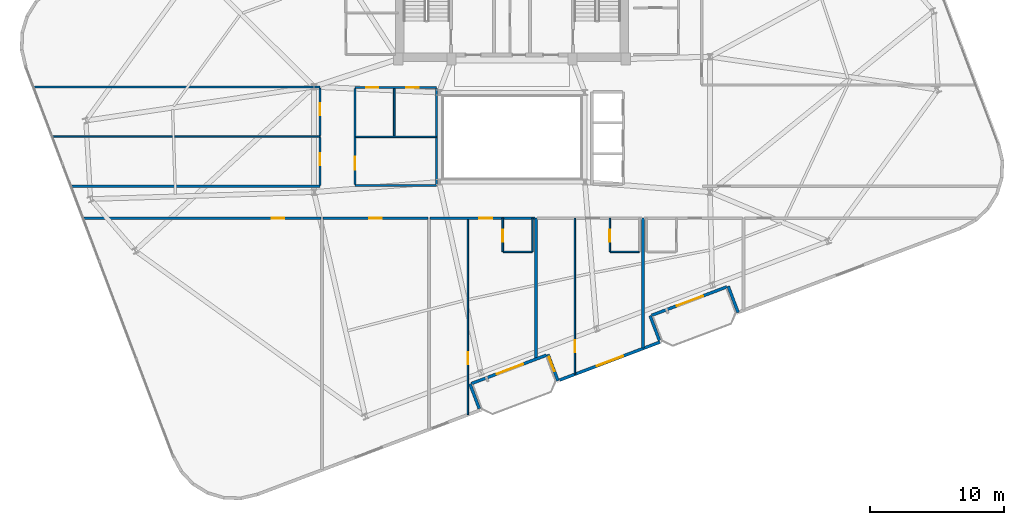
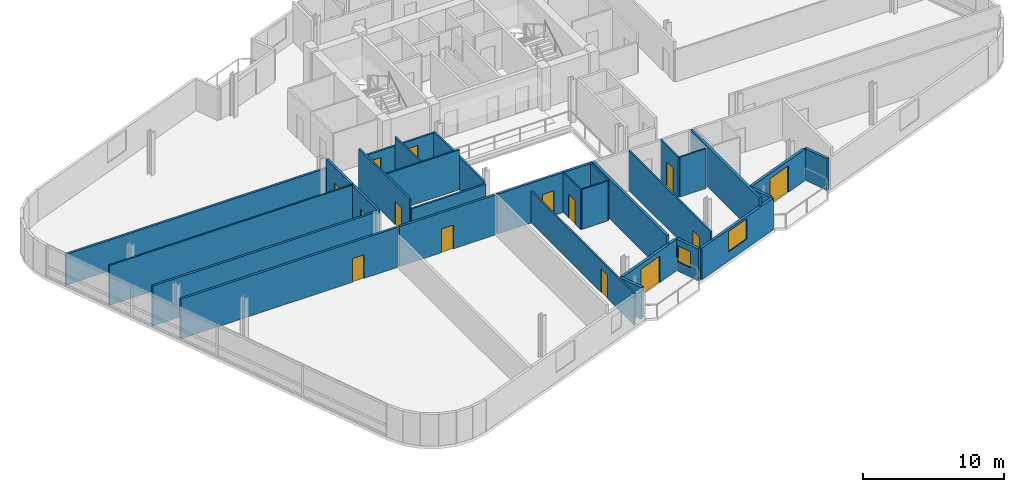
# One storey, part 14 of 20: 30 walls, 14 doors, 2 windows, 16 openings.
"""IFC4 building model written with IfcOpenShell, lengths in metres."""

from ifc_helpers import new_model, si_unit, direction, frame, frame_2d, origin, place, context, subcontext, project, spatial, rectangle, extrude, material, layer, layer_set, type_object, element, fill, save


model = new_model("IFC4")

# Units and contexts
model_context = context("Model", 3, precision=1e-05, world=origin(), true_north=direction((0.0, 1.0)))
body_context = subcontext(model_context, "Body", "Model", "MODEL_VIEW")
ifc_project = project(units=[si_unit("LENGTHUNIT", "METRE"), si_unit("AREAUNIT", "SQUARE_METRE"), si_unit("VOLUMEUNIT", "CUBIC_METRE"), si_unit("PLANEANGLEUNIT", "RADIAN"), si_unit("MASSUNIT", "GRAM", prefix="KILO")], contexts=[model_context])

# Site, building, storey
site_placement = place(None, origin())
site = spatial("IfcSite", under=ifc_project, at=site_placement, CompositionType="ELEMENT")
building_placement = place(site_placement, origin())
building = spatial("IfcBuilding", under=site, at=building_placement, Name="Varnelok Gate Tower", CompositionType="ELEMENT")
storey_placement = place(building_placement, frame((0.0, 0.0, 238.60009765625)))
storey = spatial("IfcBuildingStorey", under=building, at=storey_placement, Name="L61", CompositionType="ELEMENT", Elevation=238.60009765625)

# Wall, opening, door
ifc_material_1 = material(Name="Concrete C45/55", Category="concrete")
ifc_layer_1 = layer(ifc_material_1, 0.219970703125)
ifc_layer_set_1 = layer_set([ifc_layer_1], Name="Concrete C45/55")
wall_type_1 = type_object("IfcWallType", Name="EW-BALC-220", PredefinedType="SOLIDWALL", material=ifc_layer_set_1)
wall_1_placement = place(storey_placement, frame((41.783203125, 6.6142578125, 0.0), z_axis=(0.0, 0.0, 1.0), x_axis=(-0.93521416643, -0.354082565101, 0.0)))
wall_1 = element("IfcWall", 1, at=wall_1_placement, inside=storey, type_object=wall_type_1, Name="L61 South Terrace Envelope Wall 1", PredefinedType="SOLIDWALL", context=body_context, shape_type="SweptSolid", body=[
    extrude(rectangle(XDim=6.0, YDim=0.219970703125, at=frame_2d((3.0, 0.0))), origin(), (0.0, 0.0, 1.0), 2.72998046875),
])
opening_1_placement = place(wall_1_placement, frame((1.887939453125, 0.0, 0.0)))
opening_1 = element("IfcOpeningElement", 2, at=opening_1_placement, cuts=wall_1, Name="Opening BD-2", PredefinedType="OPENING", context=body_context, shape_type="SweptSolid", body=[
    extrude(rectangle(XDim=2.10009765625, YDim=2.300048828125, at=frame_2d((1.050048828125, 1.14990234375))), frame((0.0, 0.119873046875, 0.0), z_axis=(0.0, -1.0, 0.0), x_axis=(1.0, 0.0, 0.0)), (0.0, 0.0, 1.0), 0.239990234375),
])
ifc_material_2 = material(Name="Anodized Aluminum Alloy 6063-T6", Category="aluminium")
door_type_1 = type_object("IfcDoorType", Name="DR-EXT-SLID2100", OperationType="SLIDING_TO_LEFT", PredefinedType="DOOR", material=ifc_material_2)
door_1_placement = place(opening_1_placement, origin())
door_1 = element("IfcDoor", 3, at=door_1_placement, inside=storey, type_object=door_type_1, Name="L61 South Balcony Glazed Door 1", OperationType="SLIDING_TO_LEFT", OverallHeight=2.300048828125, OverallWidth=2.10009765625, PredefinedType="DOOR", context=body_context, shape_type="SweptSolid", body=[
    extrude(rectangle(XDim=2.10009765625, YDim=2.300048828125, at=frame_2d((1.050048828125, 1.14990234375))), frame((0.0, 0.02490234375, 0.0), z_axis=(0.0, -1.0, 0.0), x_axis=(1.0, 0.0, 0.0)), (0.0, 0.0, 1.0), 0.050048828125),
])
fill(opening_1, door_1)

wall_2_placement = place(storey_placement, frame((55.25048828125, 11.712646484375, 0.0), z_axis=(0.0, 0.0, 1.0), x_axis=(-0.935227640088, -0.354046976001, 0.0)))
wall_2 = element("IfcWall", 4, at=wall_2_placement, inside=storey, type_object=wall_type_1, Name="L61 South Terrace Envelope Wall 2", PredefinedType="SOLIDWALL", context=body_context, shape_type="SweptSolid", body=[
    extrude(rectangle(XDim=6.0, YDim=0.219970703125, at=frame_2d((3.0, 0.0))), origin(), (0.0, 0.0, 1.0), 2.72998046875),
])
opening_2_placement = place(wall_2_placement, frame((1.887939453125, 0.0, 0.0)))
opening_2 = element("IfcOpeningElement", 5, at=opening_2_placement, cuts=wall_2, Name="Opening BD-2", PredefinedType="OPENING", context=body_context, shape_type="SweptSolid", body=[
    extrude(rectangle(XDim=2.10009765625, YDim=2.300048828125, at=frame_2d((1.050048828125, 1.14990234375))), frame((0.0, 0.119873046875, 0.0), z_axis=(0.0, -1.0, 0.0), x_axis=(1.0, 0.0, 0.0)), (0.0, 0.0, 1.0), 0.239990234375),
])
door_2_placement = place(opening_2_placement, origin())
door_2 = element("IfcDoor", 6, at=door_2_placement, inside=storey, type_object=door_type_1, Name="L61 South Balcony Glazed Door 2", OperationType="SLIDING_TO_LEFT", OverallHeight=2.300048828125, OverallWidth=2.10009765625, PredefinedType="DOOR", context=body_context, shape_type="SweptSolid", body=[
    extrude(rectangle(XDim=2.10009765625, YDim=2.300048828125, at=frame_2d((1.050048828125, 1.14990234375))), frame((0.0, 0.02490234375, 0.0), z_axis=(0.0, -1.0, 0.0), x_axis=(1.0, 0.0, 0.0)), (0.0, 0.0, 1.0), 0.050048828125),
])
fill(opening_2, door_2)

# Wall
wall_3_placement = place(storey_placement, frame((36.75537109375, 2.609619140625, 0.0), z_axis=(0.0, 0.0, 1.0), x_axis=(-0.354020680661, 0.935237594232, 0.0)))
element("IfcWall", 7, at=wall_3_placement, inside=storey, type_object=wall_type_1, Name="L61 Perimeter Facade Closure Wall 8", PredefinedType="SOLIDWALL", context=body_context, shape_type="SweptSolid", body=[
    extrude(rectangle(XDim=1.97509765625, YDim=0.219970703125, at=frame_2d((0.987548828125, 0.0))), origin(), (0.0, 0.0, 1.0), 2.72998046875),
])

# Wall, opening, window
wall_4_placement = place(storey_placement, frame((41.891845703125, 6.666015625, 0.0), z_axis=(0.0, 0.0, 1.0), x_axis=(0.354128469405, -0.935196785258, 0.0)))
wall_4 = element("IfcWall", 8, at=wall_4_placement, inside=storey, type_object=wall_type_1, Name="L61 Perimeter Facade Closure Wall 9", PredefinedType="SOLIDWALL", context=body_context, shape_type="SweptSolid", body=[
    extrude(rectangle(XDim=2.099853515625, YDim=0.219970703125, at=frame_2d((1.0498046875, 0.0))), origin(), (0.0, 0.0, 1.0), 2.72998046875),
])
opening_3_placement = place(wall_4_placement, frame((0.199951171875, 0.0, 0.800048828125)))
opening_3 = element("IfcOpeningElement", 9, at=opening_3_placement, cuts=wall_4, Name="Opening WN8", PredefinedType="OPENING", context=body_context, shape_type="SweptSolid", body=[
    extrude(rectangle(XDim=1.14990234375, YDim=1.39990234375, at=frame_2d((0.574951171875, 0.699951171875))), frame((0.0, 0.119873046875, 0.0), z_axis=(0.0, -1.0, 0.0), x_axis=(1.0, 0.0, 0.0)), (0.0, 0.0, 1.0), 0.239990234375),
])
ifc_material_3 = material(Name="Low-E Laminated Double Glazing IGU", Category="glass")
window_type_1 = type_object("IfcWindowType", Name="WN-BED-1150", PartitioningType="SINGLE_PANEL", PredefinedType="WINDOW", material=ifc_material_3)
window_1_placement = place(opening_3_placement, origin())
window_1 = element("IfcWindow", 10, at=window_1_placement, inside=storey, type_object=window_type_1, Name="L61 Bedroom Vision Window 44", OverallHeight=1.39990234375, OverallWidth=1.14990234375, PartitioningType="SINGLE_PANEL", PredefinedType="WINDOW", context=body_context, shape_type="SweptSolid", body=[
    extrude(rectangle(XDim=1.14990234375, YDim=1.39990234375, at=frame_2d((0.574951171875, 0.699951171875))), frame((0.0, 0.030029296875, 0.0), z_axis=(0.0, -1.0, 0.0), x_axis=(1.0, 0.0, 0.0)), (0.0, 0.0, 1.0), 0.06005859375),
])
fill(opening_3, window_1)

wall_5_placement = place(storey_placement, frame((42.75244140625, 4.746337890625, 0.0), z_axis=(0.0, 0.0, 1.0), x_axis=(0.935216926991, 0.354075273733, 0.0)))
wall_5 = element("IfcWall", 11, at=wall_5_placement, inside=storey, type_object=wall_type_1, Name="L61 Perimeter Facade Closure Wall 10", PredefinedType="SOLIDWALL", context=body_context, shape_type="SweptSolid", body=[
    extrude(rectangle(XDim=8.034912109375, YDim=0.219970703125, at=frame_2d((4.017578125, 0.0))), origin(), (0.0, 0.0, 1.0), 2.72998046875),
])
opening_4_placement = place(wall_5_placement, frame((2.967529296875, 0.0, 0.800048828125)))
opening_4 = element("IfcOpeningElement", 12, at=opening_4_placement, cuts=wall_5, Name="Opening WN4", PredefinedType="OPENING", context=body_context, shape_type="SweptSolid", body=[
    extrude(rectangle(XDim=2.10009765625, YDim=1.75, at=frame_2d((1.050048828125, 0.875))), frame((0.0, 0.119873046875, 0.0), z_axis=(0.0, -1.0, 0.0), x_axis=(1.0, 0.0, 0.0)), (0.0, 0.0, 1.0), 0.239990234375),
])
window_type_2 = type_object("IfcWindowType", Name="WN-SUI-2100", PartitioningType="SINGLE_PANEL", PredefinedType="WINDOW", material=ifc_material_3)
window_2_placement = place(opening_4_placement, origin())
window_2 = element("IfcWindow", 13, at=window_2_placement, inside=storey, type_object=window_type_2, Name="L61 Perimeter Vision Window 10", OverallHeight=1.75, OverallWidth=2.10009765625, PartitioningType="SINGLE_PANEL", PredefinedType="WINDOW", context=body_context, shape_type="SweptSolid", body=[
    extrude(rectangle(XDim=2.10009765625, YDim=1.75, at=frame_2d((1.050048828125, 0.875))), frame((0.0, 0.030029296875, 0.0), z_axis=(0.0, -1.0, 0.0), x_axis=(1.0, 0.0, 0.0)), (0.0, 0.0, 1.0), 0.06005859375),
])
fill(opening_4, window_2)

# Walls
wall_6_placement = place(storey_placement, frame((50.22265625, 7.7080078125, 0.0), z_axis=(0.0, 0.0, 1.0), x_axis=(-0.354020680661, 0.935237594232, 0.0)))
element("IfcWall", 14, at=wall_6_placement, inside=storey, type_object=wall_type_1, Name="L61 Perimeter Facade Closure Wall 11", PredefinedType="SOLIDWALL", context=body_context, shape_type="SweptSolid", body=[
    extrude(rectangle(XDim=1.97509765625, YDim=0.219970703125, at=frame_2d((0.987548828125, 0.0))), origin(), (0.0, 0.0, 1.0), 2.72998046875),
])
wall_7_placement = place(storey_placement, frame((55.359130859375, 11.764404296875, 0.0), z_axis=(0.0, 0.0, 1.0), x_axis=(0.354026782794, -0.935235284334, 0.0)))
element("IfcWall", 15, at=wall_7_placement, inside=storey, type_object=wall_type_1, Name="L61 Perimeter Facade Closure Wall 12", PredefinedType="SOLIDWALL", context=body_context, shape_type="SweptSolid", body=[
    extrude(rectangle(XDim=2.099853515625, YDim=0.219970703125, at=frame_2d((1.0498046875, 0.0))), origin(), (0.0, 0.0, 1.0), 2.72998046875),
])

# Wall, opening, door
ifc_material_4 = material(Name="Gypsum Plasterboard Acoustic Partition", Category="gypsum")
ifc_layer_2 = layer(ifc_material_4, 0.179931640625)
ifc_layer_set_2 = layer_set([ifc_layer_2], Name="Gypsum Plasterboard Acoustic Partition")
wall_type_2 = type_object("IfcWallType", Name="PW-CORR-180", PredefinedType="PARTITIONING", material=ifc_layer_set_2)
wall_8_placement = place(storey_placement, frame((7.196044921875, 16.85009765625, 0.0), z_axis=(0.0, 0.0, 1.0), x_axis=(1.0, 0.0, 0.0)))
wall_8 = element("IfcWall", 16, at=wall_8_placement, inside=storey, type_object=wall_type_2, Name="Interior Partition", PredefinedType="PARTITIONING", context=body_context, shape_type="SweptSolid", body=[
    extrude(rectangle(XDim=17.723876953125, YDim=0.179931640625, at=frame_2d((8.86181640625, 0.0))), origin(), (0.0, 0.0, 1.0), 3.449951171875),
])
opening_5_placement = place(wall_8_placement, frame((14.02880859375, 0.0, 0.0)))
opening_5 = element("IfcOpeningElement", 17, at=opening_5_placement, cuts=wall_8, Name="Opening D-I2", PredefinedType="OPENING", context=body_context, shape_type="SweptSolid", body=[
    extrude(rectangle(XDim=0.949951171875, YDim=2.050048828125, at=frame_2d((0.47509765625, 1.02490234375))), frame((0.0, 0.099853515625, 0.0), z_axis=(0.0, -1.0, 0.0), x_axis=(1.0, 0.0, 0.0)), (0.0, 0.0, 1.0), 0.199951171875),
])
ifc_material_5 = material(Name="Engineered Hardwood Timber", Category="wood")
door_type_2 = type_object("IfcDoorType", Name="DR-INT-950", OperationType="NOTDEFINED", PredefinedType="DOOR", material=ifc_material_5)
door_3_placement = place(opening_5_placement, origin())
door_3 = element("IfcDoor", 18, at=door_3_placement, inside=storey, type_object=door_type_2, Name="L61 Hotel Business Center Door", OperationType="SINGLE_SWING_LEFT", OverallHeight=2.050048828125, OverallWidth=0.949951171875, PredefinedType="DOOR", context=body_context, shape_type="SweptSolid", body=[
    extrude(rectangle(XDim=0.949951171875, YDim=2.050048828125, at=frame_2d((0.47509765625, 1.02490234375))), frame((0.0, 0.02490234375, 0.0), z_axis=(0.0, -1.0, 0.0), x_axis=(1.0, 0.0, 0.0)), (0.0, 0.0, 1.0), 0.050048828125),
])
fill(opening_5, door_3)

wall_9_placement = place(storey_placement, frame((25.080078125, 16.85009765625, 0.0), z_axis=(0.0, 0.0, 1.0), x_axis=(1.0, 0.0, 0.0)))
wall_9 = element("IfcWall", 19, at=wall_9_placement, inside=storey, type_object=wall_type_2, Name="Interior Partition", PredefinedType="PARTITIONING", context=body_context, shape_type="SweptSolid", body=[
    extrude(rectangle(XDim=7.83984375, YDim=0.179931640625, at=frame_2d((3.919921875, 0.0))), origin(), (0.0, 0.0, 1.0), 3.449951171875),
])
opening_6_placement = place(wall_9_placement, frame((3.445068359375, 0.0, 0.0)))
opening_6 = element("IfcOpeningElement", 20, at=opening_6_placement, cuts=wall_9, Name="Opening D-I2", PredefinedType="OPENING", context=body_context, shape_type="SweptSolid", body=[
    extrude(rectangle(XDim=0.949951171875, YDim=2.050048828125, at=frame_2d((0.47509765625, 1.02490234375))), frame((0.0, 0.099853515625, 0.0), z_axis=(0.0, -1.0, 0.0), x_axis=(1.0, 0.0, 0.0)), (0.0, 0.0, 1.0), 0.199951171875),
])
door_4_placement = place(opening_6_placement, origin())
door_4 = element("IfcDoor", 21, at=door_4_placement, inside=storey, type_object=door_type_2, Name="L61 Executive Business Office 1 Door", OperationType="SINGLE_SWING_LEFT", OverallHeight=2.050048828125, OverallWidth=0.949951171875, PredefinedType="DOOR", context=body_context, shape_type="SweptSolid", body=[
    extrude(rectangle(XDim=0.949951171875, YDim=2.050048828125, at=frame_2d((0.47509765625, 1.02490234375))), frame((0.0, 0.02490234375, 0.0), z_axis=(0.0, -1.0, 0.0), x_axis=(1.0, 0.0, 0.0)), (0.0, 0.0, 1.0), 0.050048828125),
])
fill(opening_6, door_4)

wall_10_placement = place(storey_placement, frame((33.080078125, 16.85009765625, 0.0), z_axis=(0.0, 0.0, 1.0), x_axis=(1.0, 0.0, 0.0)))
wall_10 = element("IfcWall", 22, at=wall_10_placement, inside=storey, type_object=wall_type_2, Name="Interior Partition", PredefinedType="PARTITIONING", context=body_context, shape_type="SweptSolid", body=[
    extrude(rectangle(XDim=7.83984375, YDim=0.179931640625, at=frame_2d((3.919921875, 0.0))), origin(), (0.0, 0.0, 1.0), 3.449951171875),
])
opening_7_placement = place(wall_10_placement, frame((3.679931640625, 0.0, 0.0)))
opening_7 = element("IfcOpeningElement", 23, at=opening_7_placement, cuts=wall_10, Name="Opening D-HT", PredefinedType="OPENING", context=body_context, shape_type="SweptSolid", body=[
    extrude(rectangle(XDim=0.949951171875, YDim=2.14990234375, at=frame_2d((0.47509765625, 1.074951171875))), frame((0.0, 0.099853515625, 0.0), z_axis=(0.0, -1.0, 0.0), x_axis=(1.0, 0.0, 0.0)), (0.0, 0.0, 1.0), 0.199951171875),
])
door_type_3 = type_object("IfcDoorType", Name="DR-HTL-950", OperationType="NOTDEFINED", PredefinedType="DOOR", material=ifc_material_5)
door_5_placement = place(opening_7_placement, origin())
door_5 = element("IfcDoor", 24, at=door_5_placement, inside=storey, type_object=door_type_3, Name="L61 Guest Room 03 Entrance Door", OperationType="SINGLE_SWING_RIGHT", OverallHeight=2.14990234375, OverallWidth=0.949951171875, PredefinedType="DOOR", context=body_context, shape_type="SweptSolid", body=[
    extrude(rectangle(XDim=0.949951171875, YDim=2.14990234375, at=frame_2d((0.47509765625, 1.074951171875))), frame((0.0, 0.02490234375, 0.0), z_axis=(0.0, -1.0, 0.0), x_axis=(1.0, 0.0, 0.0)), (0.0, 0.0, 1.0), 0.050048828125),
])
fill(opening_7, door_5)

wall_11_placement = place(storey_placement, frame((24.85009765625, 19.300048828125, 0.0), z_axis=(0.0, 0.0, 1.0), x_axis=(0.0, 1.0, 0.0)))
wall_11 = element("IfcWall", 25, at=wall_11_placement, inside=storey, type_object=wall_type_2, Name="Interior Partition", PredefinedType="PARTITIONING", context=body_context, shape_type="SweptSolid", body=[
    extrude(rectangle(XDim=3.570068359375, YDim=0.179931640625, at=frame_2d((1.78515625, 0.0))), origin(), (0.0, 0.0, 1.0), 3.449951171875),
])
opening_8_placement = place(wall_11_placement, frame((1.49951171875, 0.0, 0.0)))
opening_8 = element("IfcOpeningElement", 26, at=opening_8_placement, cuts=wall_11, Name="Opening D-I3", PredefinedType="OPENING", context=body_context, shape_type="SweptSolid", body=[
    extrude(rectangle(XDim=0.919921875, YDim=2.050048828125, at=frame_2d((0.4599609375, 1.02490234375))), frame((0.0, 0.099853515625, 0.0), z_axis=(0.0, -1.0, 0.0), x_axis=(1.0, 0.0, 0.0)), (0.0, 0.0, 1.0), 0.199951171875),
])
door_type_4 = type_object("IfcDoorType", Name="DR-INT-920", OperationType="NOTDEFINED", PredefinedType="DOOR", material=ifc_material_5)
door_6_placement = place(opening_8_placement, origin())
door_6 = element("IfcDoor", 27, at=door_6_placement, inside=storey, type_object=door_type_4, Name="L61 West Wing Room 1 Door", OperationType="SINGLE_SWING_LEFT", OverallHeight=2.050048828125, OverallWidth=0.919921875, PredefinedType="DOOR", context=body_context, shape_type="SweptSolid", body=[
    extrude(rectangle(XDim=0.919921875, YDim=2.050048828125, at=frame_2d((0.4599609375, 1.02490234375))), frame((0.0, 0.02490234375, 0.0), z_axis=(0.0, -1.0, 0.0), x_axis=(1.0, 0.0, 0.0)), (0.0, 0.0, 1.0), 0.050048828125),
])
fill(opening_8, door_6)

wall_12_placement = place(storey_placement, frame((24.85009765625, 23.030029296875, 0.0), z_axis=(0.0, 0.0, 1.0), x_axis=(0.0, 1.0, 0.0)))
wall_12 = element("IfcWall", 28, at=wall_12_placement, inside=storey, type_object=wall_type_2, Name="Interior Partition", PredefinedType="PARTITIONING", context=body_context, shape_type="SweptSolid", body=[
    extrude(rectangle(XDim=3.570068359375, YDim=0.179931640625, at=frame_2d((1.78515625, 0.0))), origin(), (0.0, 0.0, 1.0), 3.449951171875),
])
opening_9_placement = place(wall_12_placement, frame((1.49951171875, 0.0, 0.0)))
opening_9 = element("IfcOpeningElement", 29, at=opening_9_placement, cuts=wall_12, Name="Opening D-I3", PredefinedType="OPENING", context=body_context, shape_type="SweptSolid", body=[
    extrude(rectangle(XDim=0.919921875, YDim=2.050048828125, at=frame_2d((0.4599609375, 1.02490234375))), frame((0.0, 0.099853515625, 0.0), z_axis=(0.0, -1.0, 0.0), x_axis=(1.0, 0.0, 0.0)), (0.0, 0.0, 1.0), 0.199951171875),
])
door_7_placement = place(opening_9_placement, origin())
door_7 = element("IfcDoor", 30, at=door_7_placement, inside=storey, type_object=door_type_4, Name="L61 West Wing Room 2 Door", OperationType="SINGLE_SWING_RIGHT", OverallHeight=2.050048828125, OverallWidth=0.919921875, PredefinedType="DOOR", context=body_context, shape_type="SweptSolid", body=[
    extrude(rectangle(XDim=0.919921875, YDim=2.050048828125, at=frame_2d((0.4599609375, 1.02490234375))), frame((0.0, 0.02490234375, 0.0), z_axis=(0.0, -1.0, 0.0), x_axis=(1.0, 0.0, 0.0)), (0.0, 0.0, 1.0), 0.050048828125),
])
fill(opening_9, door_7)

# Walls
wall_13_placement = place(storey_placement, frame((6.291259765625, 19.239990234375, 0.0), z_axis=(0.0, 0.0, 1.0), x_axis=(1.0, 0.0, 0.0)))
element("IfcWall", 31, at=wall_13_placement, inside=storey, type_object=wall_type_2, Name="Interior Partition", PredefinedType="PARTITIONING", context=body_context, shape_type="SweptSolid", body=[
    extrude(rectangle(XDim=18.558837890625, YDim=0.179931640625, at=frame_2d((9.279296875, 0.0))), origin(), (0.0, 0.0, 1.0), 3.449951171875),
])
wall_14_placement = place(storey_placement, frame((3.482177734375, 26.659912109375, 0.0), z_axis=(0.0, 0.0, 1.0), x_axis=(1.0, 0.0, 0.0)))
element("IfcWall", 32, at=wall_14_placement, inside=storey, type_object=wall_type_2, Name="Interior Partition", PredefinedType="PARTITIONING", context=body_context, shape_type="SweptSolid", body=[
    extrude(rectangle(XDim=21.367919921875, YDim=0.179931640625, at=frame_2d((10.68408203125, 0.0))), origin(), (0.0, 0.0, 1.0), 2.661865234375),
])
ifc_layer_3 = layer(ifc_material_4, 0.114990234375)
ifc_layer_set_3 = layer_set([ifc_layer_3], Name="Gypsum Plasterboard Acoustic Partition")
wall_type_3 = type_object("IfcWallType", Name="PW-ENS-125", PredefinedType="PARTITIONING", material=ifc_layer_set_3)
wall_15_placement = place(storey_placement, frame((38.550048828125, 14.330078125, 0.0), z_axis=(0.0, 0.0, 1.0), x_axis=(1.0, 0.0, 0.0)))
element("IfcWall", 33, at=wall_15_placement, inside=storey, type_object=wall_type_3, Name="Interior Partition", PredefinedType="PARTITIONING", context=body_context, shape_type="SweptSolid", body=[
    extrude(rectangle(XDim=2.14990234375, YDim=0.114990234375, at=frame_2d((1.074951171875, 0.0))), origin(), (0.0, 0.0, 1.0), 3.449951171875),
])

# Wall, opening, door
wall_16_placement = place(storey_placement, frame((38.510009765625, 14.330078125, 0.0), z_axis=(0.0, 0.0, 1.0), x_axis=(0.0, 1.0, 0.0)))
wall_16 = element("IfcWall", 34, at=wall_16_placement, inside=storey, type_object=wall_type_3, Name="Interior Partition", PredefinedType="PARTITIONING", context=body_context, shape_type="SweptSolid", body=[
    extrude(rectangle(XDim=2.52001953125, YDim=0.114990234375, at=frame_2d((1.260009765625, 0.0))), origin(), (0.0, 0.0, 1.0), 3.449951171875),
])
opening_10_placement = place(wall_16_placement, frame((0.760009765625, 0.0, 0.0)))
opening_10 = element("IfcOpeningElement", 35, at=opening_10_placement, cuts=wall_16, Name="Opening D-WC", PredefinedType="OPENING", context=body_context, shape_type="SweptSolid", body=[
    extrude(rectangle(XDim=0.89990234375, YDim=2.050048828125, at=frame_2d((0.449951171875, 1.02490234375))), frame((0.0, 0.0673828125, 0.0), z_axis=(0.0, -1.0, 0.0), x_axis=(1.0, 0.0, 0.0)), (0.0, 0.0, 1.0), 0.135009765625),
])
door_type_5 = type_object("IfcDoorType", Name="DR-BATH-900", OperationType="NOTDEFINED", PredefinedType="DOOR", material=ifc_material_5)
door_8_placement = place(opening_10_placement, origin())
door_8 = element("IfcDoor", 36, at=door_8_placement, inside=storey, type_object=door_type_5, Name="L61 Guest En-Suite 03 Door", OperationType="SINGLE_SWING_RIGHT", OverallHeight=2.050048828125, OverallWidth=0.89990234375, PredefinedType="DOOR", context=body_context, shape_type="SweptSolid", body=[
    extrude(rectangle(XDim=0.89990234375, YDim=2.050048828125, at=frame_2d((0.449951171875, 1.02490234375))), frame((0.0, 0.02490234375, 0.0), z_axis=(0.0, -1.0, 0.0), x_axis=(1.0, 0.0, 0.0)), (0.0, 0.0, 1.0), 0.050048828125),
])
fill(opening_10, door_8)

# Walls
wall_17_placement = place(storey_placement, frame((40.739990234375, 14.330078125, 0.0), z_axis=(0.0, 0.0, 1.0), x_axis=(0.0, 1.0, 0.0)))
element("IfcWall", 37, at=wall_17_placement, inside=storey, type_object=wall_type_3, Name="Interior Partition", PredefinedType="PARTITIONING", context=body_context, shape_type="SweptSolid", body=[
    extrude(rectangle(XDim=2.52001953125, YDim=0.114990234375, at=frame_2d((1.260009765625, 0.0))), origin(), (0.0, 0.0, 1.0), 3.449951171875),
])
wall_18_placement = place(storey_placement, frame((46.550048828125, 14.330078125, 0.0), z_axis=(0.0, 0.0, 1.0), x_axis=(1.0, 0.0, 0.0)))
element("IfcWall", 38, at=wall_18_placement, inside=storey, type_object=wall_type_3, Name="Interior Partition", PredefinedType="PARTITIONING", context=body_context, shape_type="SweptSolid", body=[
    extrude(rectangle(XDim=2.14990234375, YDim=0.114990234375, at=frame_2d((1.074951171875, 0.0))), origin(), (0.0, 0.0, 1.0), 3.449951171875),
])

# Wall, opening, door
wall_19_placement = place(storey_placement, frame((46.510009765625, 14.330078125, 0.0), z_axis=(0.0, 0.0, 1.0), x_axis=(0.0, 1.0, 0.0)))
wall_19 = element("IfcWall", 39, at=wall_19_placement, inside=storey, type_object=wall_type_3, Name="Interior Partition", PredefinedType="PARTITIONING", context=body_context, shape_type="SweptSolid", body=[
    extrude(rectangle(XDim=2.52001953125, YDim=0.114990234375, at=frame_2d((1.260009765625, 0.0))), origin(), (0.0, 0.0, 1.0), 3.449951171875),
])
opening_11_placement = place(wall_19_placement, frame((0.760009765625, 0.0, 0.0)))
opening_11 = element("IfcOpeningElement", 40, at=opening_11_placement, cuts=wall_19, Name="Opening D-WC", PredefinedType="OPENING", context=body_context, shape_type="SweptSolid", body=[
    extrude(rectangle(XDim=0.89990234375, YDim=2.050048828125, at=frame_2d((0.449951171875, 1.02490234375))), frame((0.0, 0.0673828125, 0.0), z_axis=(0.0, -1.0, 0.0), x_axis=(1.0, 0.0, 0.0)), (0.0, 0.0, 1.0), 0.135009765625),
])
door_9_placement = place(opening_11_placement, origin())
door_9 = element("IfcDoor", 41, at=door_9_placement, inside=storey, type_object=door_type_5, Name="L61 Guest En-Suite 04 Door", OperationType="SINGLE_SWING_RIGHT", OverallHeight=2.050048828125, OverallWidth=0.89990234375, PredefinedType="DOOR", context=body_context, shape_type="SweptSolid", body=[
    extrude(rectangle(XDim=0.89990234375, YDim=2.050048828125, at=frame_2d((0.449951171875, 1.02490234375))), frame((0.0, 0.02490234375, 0.0), z_axis=(0.0, -1.0, 0.0), x_axis=(1.0, 0.0, 0.0)), (0.0, 0.0, 1.0), 0.050048828125),
])
fill(opening_11, door_9)

ifc_layer_4 = layer(ifc_material_4, 0.125)
ifc_layer_set_4 = layer_set([ifc_layer_4], Name="Gypsum Plasterboard Acoustic Partition")
wall_type_4 = type_object("IfcWallType", Name="PW-PART-125", PredefinedType="PARTITIONING", material=ifc_layer_set_4)
wall_20_placement = place(storey_placement, frame((35.89990234375, 2.173583984375, 0.0), z_axis=(0.0, 0.0, 1.0), x_axis=(0.0, 1.0, 0.0)))
wall_20 = element("IfcWall", 42, at=wall_20_placement, inside=storey, type_object=wall_type_4, Name="Interior Partition", PredefinedType="PARTITIONING", context=body_context, shape_type="SweptSolid", body=[
    extrude(rectangle(XDim=14.676513671875, YDim=0.125, at=frame_2d((7.33837890625, 0.0))), origin(), (0.0, 0.0, 1.0), 2.739013671875),
])
opening_12_placement = place(wall_20_placement, frame((3.75244140625, 0.0, 0.0)))
opening_12 = element("IfcOpeningElement", 43, at=opening_12_placement, cuts=wall_20, Name="Opening D-I3", PredefinedType="OPENING", context=body_context, shape_type="SweptSolid", body=[
    extrude(rectangle(XDim=0.919921875, YDim=2.050048828125, at=frame_2d((0.4599609375, 1.02490234375))), frame((0.0, 0.072509765625, 0.0), z_axis=(0.0, -1.0, 0.0), x_axis=(1.0, 0.0, 0.0)), (0.0, 0.0, 1.0), 0.14501953125),
])
door_10_placement = place(opening_12_placement, origin())
door_10 = element("IfcDoor", 44, at=door_10_placement, inside=storey, type_object=door_type_4, Name="L61 Suite Bedroom Door 3", OperationType="SINGLE_SWING_LEFT", OverallHeight=2.050048828125, OverallWidth=0.919921875, PredefinedType="DOOR", context=body_context, shape_type="SweptSolid", body=[
    extrude(rectangle(XDim=0.919921875, YDim=2.050048828125, at=frame_2d((0.4599609375, 1.02490234375))), frame((0.0, 0.02490234375, 0.0), z_axis=(0.0, -1.0, 0.0), x_axis=(1.0, 0.0, 0.0)), (0.0, 0.0, 1.0), 0.050048828125),
])
fill(opening_12, door_10)

wall_21_placement = place(storey_placement, frame((43.89990234375, 5.2021484375, 0.0), z_axis=(0.0, 0.0, 1.0), x_axis=(0.0, 1.0, 0.0)))
wall_21 = element("IfcWall", 45, at=wall_21_placement, inside=storey, type_object=wall_type_4, Name="Interior Partition", PredefinedType="PARTITIONING", context=body_context, shape_type="SweptSolid", body=[
    extrude(rectangle(XDim=11.64794921875, YDim=0.125, at=frame_2d((5.823974609375, 0.0))), origin(), (0.0, 0.0, 1.0), 3.449951171875),
])
opening_13_placement = place(wall_21_placement, frame((1.610107421875, 0.0, 0.0)))
opening_13 = element("IfcOpeningElement", 46, at=opening_13_placement, cuts=wall_21, Name="Opening D-I3", PredefinedType="OPENING", context=body_context, shape_type="SweptSolid", body=[
    extrude(rectangle(XDim=0.919921875, YDim=2.050048828125, at=frame_2d((0.4599609375, 1.02490234375))), frame((0.0, 0.072509765625, 0.0), z_axis=(0.0, -1.0, 0.0), x_axis=(1.0, 0.0, 0.0)), (0.0, 0.0, 1.0), 0.14501953125),
])
door_11_placement = place(opening_13_placement, origin())
door_11 = element("IfcDoor", 47, at=door_11_placement, inside=storey, type_object=door_type_4, Name="L61 Suite Bedroom Door 4", OperationType="SINGLE_SWING_LEFT", OverallHeight=2.050048828125, OverallWidth=0.919921875, PredefinedType="DOOR", context=body_context, shape_type="SweptSolid", body=[
    extrude(rectangle(XDim=0.919921875, YDim=2.050048828125, at=frame_2d((0.4599609375, 1.02490234375))), frame((0.0, 0.02490234375, 0.0), z_axis=(0.0, -1.0, 0.0), x_axis=(1.0, 0.0, 0.0)), (0.0, 0.0, 1.0), 0.050048828125),
])
fill(opening_13, door_11)

# Walls
wall_22_placement = place(storey_placement, frame((4.88671875, 22.949951171875, 0.0), z_axis=(0.0, 0.0, 1.0), x_axis=(1.0, 0.0, 0.0)))
element("IfcWall", 48, at=wall_22_placement, inside=storey, type_object=wall_type_4, Name="Interior Partition", PredefinedType="PARTITIONING", context=body_context, shape_type="SweptSolid", body=[
    extrude(rectangle(XDim=19.96337890625, YDim=0.125, at=frame_2d((9.981689453125, 0.0))), origin(), (0.0, 0.0, 1.0), 3.449951171875),
])
wall_23_placement = place(storey_placement, frame((27.52001953125, 22.929931640625, 0.0), z_axis=(0.0, 0.0, 1.0), x_axis=(1.0, 0.0, 0.0)))
element("IfcWall", 49, at=wall_23_placement, inside=storey, type_object=wall_type_4, Name="Interior Partition", PredefinedType="PARTITIONING", context=body_context, shape_type="SweptSolid", body=[
    extrude(rectangle(XDim=6.0, YDim=0.125, at=frame_2d((3.0, 0.0))), origin(), (0.0, 0.0, 1.0), 3.449951171875),
])
wall_24_placement = place(storey_placement, frame((30.39990234375, 23.0, 0.0), z_axis=(0.0, 0.0, 1.0), x_axis=(0.0, 1.0, 0.0)))
element("IfcWall", 50, at=wall_24_placement, inside=storey, type_object=wall_type_4, Name="Interior Partition", PredefinedType="PARTITIONING", context=body_context, shape_type="SweptSolid", body=[
    extrude(rectangle(XDim=3.5400390625, YDim=0.125, at=frame_2d((1.77001953125, 0.0))), origin(), (0.0, 0.0, 1.0), 3.449951171875),
])
ifc_layer_5 = layer(ifc_material_4, 0.14990234375)
ifc_layer_set_5 = layer_set([ifc_layer_5], Name="Gypsum Plasterboard Acoustic Partition")
wall_type_5 = type_object("IfcWallType", Name="PW-PART-150", PredefinedType="PARTITIONING", material=ifc_layer_set_5)
wall_25_placement = place(storey_placement, frame((27.4599609375, 19.300048828125, 0.0), z_axis=(0.0, 0.0, 1.0), x_axis=(1.0, 0.0, 0.0)))
element("IfcWall", 51, at=wall_25_placement, inside=storey, type_object=wall_type_5, Name="Interior Partition", PredefinedType="PARTITIONING", context=body_context, shape_type="SweptSolid", body=[
    extrude(rectangle(XDim=6.10009765625, YDim=0.14990234375, at=frame_2d((3.050048828125, 0.0))), origin(), (0.0, 0.0, 1.0), 2.661865234375),
])

# Wall, openings, doors
wall_26_placement = place(storey_placement, frame((27.4599609375, 26.6201171875, 0.0), z_axis=(0.0, 0.0, 1.0), x_axis=(1.0, 0.0, 0.0)))
wall_26 = element("IfcWall", 52, at=wall_26_placement, inside=storey, type_object=wall_type_5, Name="Interior Partition", PredefinedType="PARTITIONING", context=body_context, shape_type="SweptSolid", body=[
    extrude(rectangle(XDim=6.10009765625, YDim=0.14990234375, at=frame_2d((3.050048828125, 0.0))), origin(), (0.0, 0.0, 1.0), 2.661865234375),
])
opening_14_placement = place(wall_26_placement, frame((0.85009765625, 0.0, 0.0)))
opening_14 = element("IfcOpeningElement", 53, at=opening_14_placement, cuts=wall_26, Name="Opening D-WC", PredefinedType="OPENING", context=body_context, shape_type="SweptSolid", body=[
    extrude(rectangle(XDim=0.89990234375, YDim=2.050048828125, at=frame_2d((0.449951171875, 1.02490234375))), frame((0.0, 0.0849609375, 0.0), z_axis=(0.0, -1.0, 0.0), x_axis=(1.0, 0.0, 0.0)), (0.0, 0.0, 1.0), 0.169921875),
])
opening_15_placement = place(wall_26_placement, frame((3.85009765625, 0.0, 0.0)))
opening_15 = element("IfcOpeningElement", 54, at=opening_15_placement, cuts=wall_26, Name="Opening D-I3", PredefinedType="OPENING", context=body_context, shape_type="SweptSolid", body=[
    extrude(rectangle(XDim=0.919921875, YDim=2.050048828125, at=frame_2d((0.4599609375, 1.02490234375))), frame((0.0, 0.0849609375, 0.0), z_axis=(0.0, -1.0, 0.0), x_axis=(1.0, 0.0, 0.0)), (0.0, 0.0, 1.0), 0.169921875),
])
door_12_placement = place(opening_14_placement, origin())
door_12 = element("IfcDoor", 55, at=door_12_placement, inside=storey, type_object=door_type_5, Name="L61 Accessible Floor WC Door", OperationType="SINGLE_SWING_RIGHT", OverallHeight=2.050048828125, OverallWidth=0.89990234375, PredefinedType="DOOR", context=body_context, shape_type="SweptSolid", body=[
    extrude(rectangle(XDim=0.89990234375, YDim=2.050048828125, at=frame_2d((0.449951171875, 1.02490234375))), frame((0.0, 0.02490234375, 0.0), z_axis=(0.0, -1.0, 0.0), x_axis=(1.0, 0.0, 0.0)), (0.0, 0.0, 1.0), 0.050048828125),
])
fill(opening_14, door_12)
door_13_placement = place(opening_15_placement, origin())
door_13 = element("IfcDoor", 56, at=door_13_placement, inside=storey, type_object=door_type_4, Name="L61 Cleaner Supply Door", OperationType="SINGLE_SWING_LEFT", OverallHeight=2.050048828125, OverallWidth=0.919921875, PredefinedType="DOOR", context=body_context, shape_type="SweptSolid", body=[
    extrude(rectangle(XDim=0.919921875, YDim=2.050048828125, at=frame_2d((0.4599609375, 1.02490234375))), frame((0.0, 0.02490234375, 0.0), z_axis=(0.0, -1.0, 0.0), x_axis=(1.0, 0.0, 0.0)), (0.0, 0.0, 1.0), 0.050048828125),
])
fill(opening_15, door_13)

# Wall, opening, door
wall_27_placement = place(storey_placement, frame((27.4599609375, 19.3798828125, 0.0), z_axis=(0.0, 0.0, 1.0), x_axis=(0.0, 1.0, 0.0)))
wall_27 = element("IfcWall", 57, at=wall_27_placement, inside=storey, type_object=wall_type_5, Name="Interior Partition", PredefinedType="PARTITIONING", context=body_context, shape_type="SweptSolid", body=[
    extrude(rectangle(XDim=7.16015625, YDim=0.14990234375, at=frame_2d((3.580078125, 0.0))), origin(), (0.0, 0.0, 1.0), 3.449951171875),
])
opening_16_placement = place(wall_27_placement, frame((1.10009765625, 0.0, 0.0)))
opening_16 = element("IfcOpeningElement", 58, at=opening_16_placement, cuts=wall_27, Name="Opening D-I2", PredefinedType="OPENING", context=body_context, shape_type="SweptSolid", body=[
    extrude(rectangle(XDim=0.949951171875, YDim=2.050048828125, at=frame_2d((0.47509765625, 1.02490234375))), frame((0.0, 0.0849609375, 0.0), z_axis=(0.0, -1.0, 0.0), x_axis=(1.0, 0.0, 0.0)), (0.0, 0.0, 1.0), 0.169921875),
])
door_14_placement = place(opening_16_placement, origin())
door_14 = element("IfcDoor", 59, at=door_14_placement, inside=storey, type_object=door_type_2, Name="L61 Spa Treatment Suite Door", OperationType="SINGLE_SWING_LEFT", OverallHeight=2.050048828125, OverallWidth=0.949951171875, PredefinedType="DOOR", context=body_context, shape_type="SweptSolid", body=[
    extrude(rectangle(XDim=0.949951171875, YDim=2.050048828125, at=frame_2d((0.47509765625, 1.02490234375))), frame((0.0, 0.02490234375, 0.0), z_axis=(0.0, -1.0, 0.0), x_axis=(1.0, 0.0, 0.0)), (0.0, 0.0, 1.0), 0.050048828125),
])
fill(opening_16, door_14)

# Walls
wall_28_placement = place(storey_placement, frame((33.56005859375, 19.3798828125, 0.0), z_axis=(0.0, 0.0, 1.0), x_axis=(0.0, 1.0, 0.0)))
element("IfcWall", 60, at=wall_28_placement, inside=storey, type_object=wall_type_5, Name="Interior Partition", PredefinedType="PARTITIONING", context=body_context, shape_type="SweptSolid", body=[
    extrude(rectangle(XDim=7.16015625, YDim=0.14990234375, at=frame_2d((3.580078125, 0.0))), origin(), (0.0, 0.0, 1.0), 2.823974609375),
])
ifc_layer_6 = layer(ifc_material_4, 0.205078125)
ifc_layer_set_6 = layer_set([ifc_layer_6], Name="Gypsum Plasterboard Acoustic Partition")
wall_type_6 = type_object("IfcWallType", Name="PW-PARTY-200", PredefinedType="PARTITIONING", material=ifc_layer_set_6)
wall_29_placement = place(storey_placement, frame((41.0, 6.349609375, 0.0), z_axis=(0.0, 0.0, 1.0), x_axis=(0.0, 1.0, 0.0)))
element("IfcWall", 61, at=wall_29_placement, inside=storey, type_object=wall_type_6, Name="L61 South Party Wall 3", PredefinedType="PARTITIONING", context=body_context, shape_type="SweptSolid", body=[
    extrude(rectangle(XDim=10.50048828125, YDim=0.205078125, at=frame_2d((5.250244140625, 0.0))), origin(), (0.0, 0.0, 1.0), 3.449951171875),
])
wall_30_placement = place(storey_placement, frame((49.0, 7.133056640625, 0.0), z_axis=(0.0, 0.0, 1.0), x_axis=(0.0, 1.0, 0.0)))
element("IfcWall", 62, at=wall_30_placement, inside=storey, type_object=wall_type_6, Name="L61 South Party Wall 4", PredefinedType="PARTITIONING", context=body_context, shape_type="SweptSolid", body=[
    extrude(rectangle(XDim=9.717041015625, YDim=0.205078125, at=frame_2d((4.8583984375, 0.0))), origin(), (0.0, 0.0, 1.0), 3.449951171875),
])

save(model, "model.ifc")
